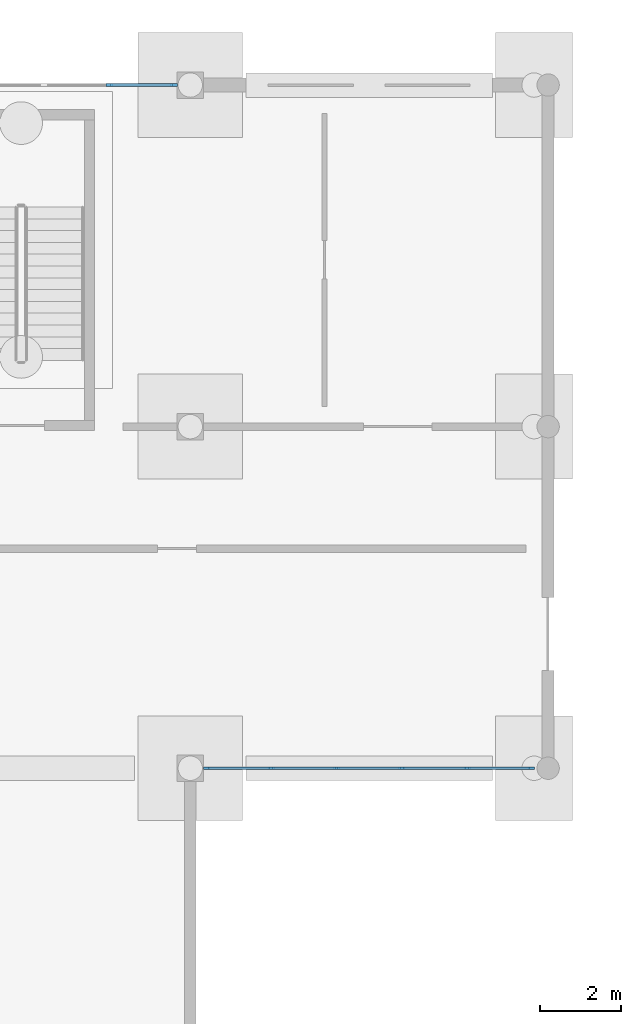
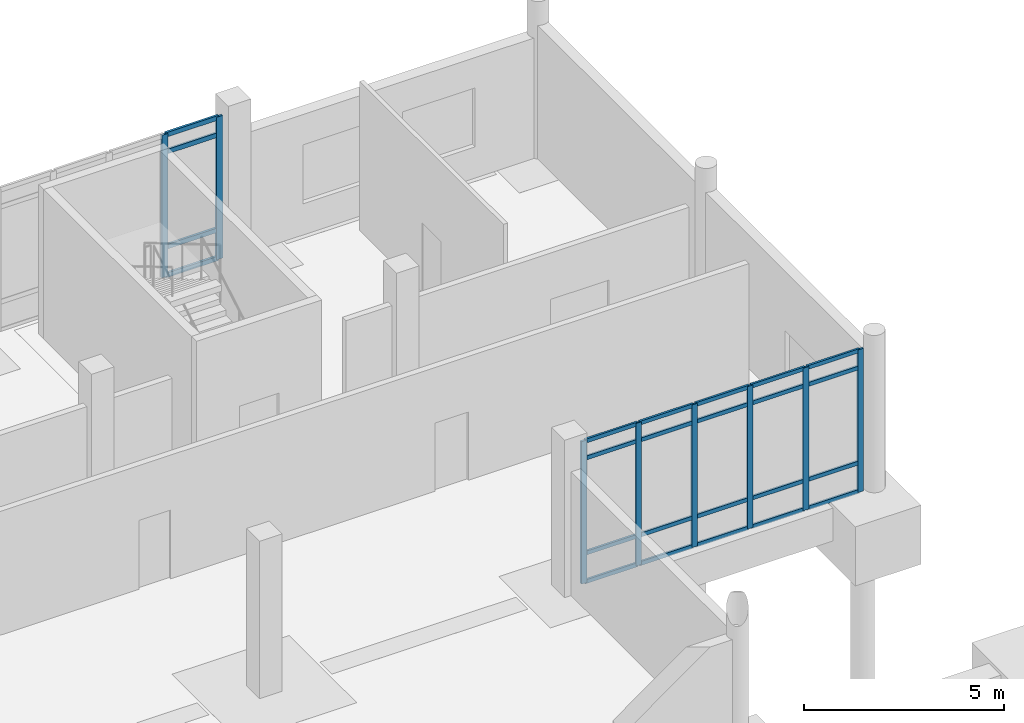
# One storey, part 29 of 72: 32 members, 2 elements without a shape of their own.
"""IFC4 building model written with IfcOpenShell, lengths in metres."""

from ifc_helpers import new_model, si_unit, direction, frame, origin, origin_2d, place, context, subcontext, project, spatial, rectangle, extrude, material, material_profile, profile_set, type_object, element, aggregate, save


model = new_model("IFC4")

# Units and contexts
model_context = context("Model", 3, precision=1e-05, world=origin(), true_north=direction((0.0, 1.0)))
body_context = subcontext(model_context, "Body", "Model", "MODEL_VIEW")
ifc_project = project(units=[si_unit("LENGTHUNIT", "METRE"), si_unit("AREAUNIT", "SQUARE_METRE"), si_unit("VOLUMEUNIT", "CUBIC_METRE"), si_unit("PLANEANGLEUNIT", "RADIAN"), si_unit("MASSUNIT", "GRAM", prefix="KILO")], contexts=[model_context])

# Site, building, storey
site_placement = place(None, origin())
site = spatial("IfcSite", under=ifc_project, at=site_placement, CompositionType="ELEMENT")
building_placement = place(site_placement, origin())
building = spatial("IfcBuilding", under=site, at=building_placement, Name="Cinderway Yard Community Centre", CompositionType="ELEMENT")
storey_placement = place(building_placement, origin())
storey = spatial("IfcBuildingStorey", under=building, at=storey_placement, Name="L00", CompositionType="ELEMENT", Elevation=0.0)

# Curtain wall, members
ifc_material = material(Name="Aluminium 6063-T6", Category="aluminium")
curtain_wall_type = type_object("IfcCurtainWallType", Name="ENV-CW-TYPE-25", PredefinedType="USERDEFINED", material=ifc_material)
curtain_wall_1_placement = place(storey_placement, origin())
curtain_wall_1 = element("IfcCurtainWall", 1, at=curtain_wall_1_placement, inside=storey, type_object=curtain_wall_type, Name="V4 Courtyard Curtain Wall ENV-CW-L00-ST-0121", ObjectType="GLAZED CURTAIN WALL", PredefinedType="USERDEFINED")
ifc_material_profile_1 = material_profile(ifc_material, rectangle(XDim=0.06005859375, YDim=0.159912109375, at=origin_2d()), Name="Aluminium 6063-T6")
ifc_profile_set_1 = profile_set([ifc_material_profile_1], Name="Aluminium 6063-T6")
member_type_1 = type_object("IfcMemberType", Name="ENV-CW-MULL-150", PredefinedType="MULLION", material=ifc_profile_set_1)
member_1_placement = place(storey_placement, frame((137.2099609375, 98.39990234375, 0.0), z_axis=(0.0, 0.0, 1.0), x_axis=(0.0, 1.0, 0.0)))
member_1 = element("IfcMember", 2, at=member_1_placement, type_object=member_type_1, Name="CW-25 mullion 1", PredefinedType="MULLION", context=body_context, shape_type="SweptSolid", body=[
    extrude(rectangle(XDim=0.06005859375, YDim=0.159912109375, at=origin_2d()), origin(), (0.0, 0.0, 1.0), 4.35009765625),
])
member_2_placement = place(storey_placement, frame((138.7880859375, 98.39990234375, 0.0), z_axis=(0.0, 0.0, 1.0), x_axis=(0.0, 1.0, 0.0)))
member_2 = element("IfcMember", 3, at=member_2_placement, type_object=member_type_1, Name="CW-25 mullion 2", PredefinedType="MULLION", context=body_context, shape_type="SweptSolid", body=[
    extrude(rectangle(XDim=0.06005859375, YDim=0.159912109375, at=origin_2d()), origin(), (0.0, 0.0, 1.0), 4.35009765625),
])
member_3_placement = place(storey_placement, frame((140.39599609375, 98.39990234375, 0.0), z_axis=(0.0, 0.0, 1.0), x_axis=(0.0, 1.0, 0.0)))
member_3 = element("IfcMember", 4, at=member_3_placement, type_object=member_type_1, Name="CW-25 mullion 3", PredefinedType="MULLION", context=body_context, shape_type="SweptSolid", body=[
    extrude(rectangle(XDim=0.06005859375, YDim=0.159912109375, at=origin_2d()), origin(), (0.0, 0.0, 1.0), 4.35009765625),
])
member_4_placement = place(storey_placement, frame((142.00390625, 98.39990234375, 0.0), z_axis=(0.0, 0.0, 1.0), x_axis=(0.0, 1.0, 0.0)))
member_4 = element("IfcMember", 5, at=member_4_placement, type_object=member_type_1, Name="CW-25 mullion 4", PredefinedType="MULLION", context=body_context, shape_type="SweptSolid", body=[
    extrude(rectangle(XDim=0.06005859375, YDim=0.159912109375, at=origin_2d()), origin(), (0.0, 0.0, 1.0), 4.35009765625),
])
member_5_placement = place(storey_placement, frame((143.612060546875, 98.39990234375, 0.0), z_axis=(0.0, 0.0, 1.0), x_axis=(0.0, 1.0, 0.0)))
member_5 = element("IfcMember", 6, at=member_5_placement, type_object=member_type_1, Name="CW-25 mullion 5", PredefinedType="MULLION", context=body_context, shape_type="SweptSolid", body=[
    extrude(rectangle(XDim=0.06005859375, YDim=0.159912109375, at=origin_2d()), origin(), (0.0, 0.0, 1.0), 4.35009765625),
])
member_6_placement = place(storey_placement, frame((145.18994140625, 98.39990234375, 0.0), z_axis=(0.0, 0.0, 1.0), x_axis=(0.0, 1.0, 0.0)))
member_6 = element("IfcMember", 7, at=member_6_placement, type_object=member_type_1, Name="CW-25 mullion 6", PredefinedType="MULLION", context=body_context, shape_type="SweptSolid", body=[
    extrude(rectangle(XDim=0.06005859375, YDim=0.159912109375, at=origin_2d()), origin(), (0.0, 0.0, 1.0), 4.35009765625),
])

curtain_wall_2_placement = place(storey_placement, origin())
curtain_wall_2 = element("IfcCurtainWall", 8, at=curtain_wall_2_placement, inside=storey, type_object=curtain_wall_type, Name="V4 Street Curtain Wall ENV-CW-L00-HS-0120", ObjectType="GLAZED CURTAIN WALL", PredefinedType="USERDEFINED")
ifc_material_profile_2 = material_profile(ifc_material, rectangle(XDim=0.06494140625, YDim=0.179931640625, at=origin_2d()), Name="Aluminium 6063-T6")
ifc_profile_set_2 = profile_set([ifc_material_profile_2], Name="Aluminium 6063-T6")
member_type_2 = type_object("IfcMemberType", Name="ENV-CW-MULL-180", PredefinedType="MULLION", material=ifc_profile_set_2)
member_7_placement = place(storey_placement, frame((134.81201171875, 115.199951171875, 0.0), z_axis=(0.0, 0.0, 1.0), x_axis=(0.0, 1.0, 0.0)))
member_7 = element("IfcMember", 9, at=member_7_placement, type_object=member_type_2, Name="CW-25 mullion 5", PredefinedType="MULLION", context=body_context, shape_type="SweptSolid", body=[
    extrude(rectangle(XDim=0.06494140625, YDim=0.179931640625, at=origin_2d()), origin(), (0.0, 0.0, 1.0), 4.35009765625),
])
member_8_placement = place(storey_placement, frame((136.389892578125, 115.199951171875, 0.0), z_axis=(0.0, 0.0, 1.0), x_axis=(0.0, 1.0, 0.0)))
member_8 = element("IfcMember", 10, at=member_8_placement, type_object=member_type_2, Name="CW-25 mullion 6", PredefinedType="MULLION", context=body_context, shape_type="SweptSolid", body=[
    extrude(rectangle(XDim=0.06494140625, YDim=0.179931640625, at=origin_2d()), origin(), (0.0, 0.0, 1.0), 4.35009765625),
])

# Member
ifc_material_profile_3 = material_profile(ifc_material, rectangle(XDim=0.06005859375, YDim=0.1201171875, at=origin_2d()), Name="Aluminium 6063-T6")
ifc_profile_set_3 = profile_set([ifc_material_profile_3], Name="Aluminium 6063-T6")
member_type_3 = type_object("IfcMemberType", Name="ENV-CW-TRAN-110", PredefinedType="USERDEFINED", material=ifc_profile_set_3)
member_9_placement = place(storey_placement, frame((137.239990234375, 98.39990234375, 0.030029296875), z_axis=(1.0, 0.0, 0.0), x_axis=(0.0, 1.0, 0.0)))
member_9 = element("IfcMember", 11, at=member_9_placement, type_object=member_type_3, Name="CW-25 transom 1.1", ObjectType="TRANSOM", PredefinedType="USERDEFINED", context=body_context, shape_type="SweptSolid", body=[
    extrude(rectangle(XDim=0.06005859375, YDim=0.1201171875, at=origin_2d()), origin(), (0.0, 0.0, 1.0), 1.51806640625),
])

member_10_placement = place(storey_placement, frame((137.239990234375, 98.39990234375, 0.89990234375), z_axis=(1.0, 0.0, 0.0), x_axis=(0.0, 1.0, 0.0)))
member_10 = element("IfcMember", 12, at=member_10_placement, type_object=member_type_3, Name="CW-25 transom 1.2", ObjectType="TRANSOM", PredefinedType="USERDEFINED", context=body_context, shape_type="SweptSolid", body=[
    extrude(rectangle(XDim=0.06005859375, YDim=0.1201171875, at=origin_2d()), origin(), (0.0, 0.0, 1.0), 1.51806640625),
])

member_11_placement = place(storey_placement, frame((137.239990234375, 98.39990234375, 3.800048828125), z_axis=(1.0, 0.0, 0.0), x_axis=(0.0, 1.0, 0.0)))
member_11 = element("IfcMember", 13, at=member_11_placement, type_object=member_type_3, Name="CW-25 transom 1.3", ObjectType="TRANSOM", PredefinedType="USERDEFINED", context=body_context, shape_type="SweptSolid", body=[
    extrude(rectangle(XDim=0.06005859375, YDim=0.1201171875, at=origin_2d()), origin(), (0.0, 0.0, 1.0), 1.51806640625),
])

member_12_placement = place(storey_placement, frame((137.239990234375, 98.39990234375, 4.320068359375), z_axis=(1.0, 0.0, 0.0), x_axis=(0.0, 1.0, 0.0)))
member_12 = element("IfcMember", 14, at=member_12_placement, type_object=member_type_3, Name="CW-25 transom 1.4", ObjectType="TRANSOM", PredefinedType="USERDEFINED", context=body_context, shape_type="SweptSolid", body=[
    extrude(rectangle(XDim=0.06005859375, YDim=0.1201171875, at=origin_2d()), origin(), (0.0, 0.0, 1.0), 1.51806640625),
])

member_13_placement = place(storey_placement, frame((138.818115234375, 98.39990234375, 0.030029296875), z_axis=(1.0, 0.0, 0.0), x_axis=(0.0, 1.0, 0.0)))
member_13 = element("IfcMember", 15, at=member_13_placement, type_object=member_type_3, Name="CW-25 transom 2.1", ObjectType="TRANSOM", PredefinedType="USERDEFINED", context=body_context, shape_type="SweptSolid", body=[
    extrude(rectangle(XDim=0.06005859375, YDim=0.1201171875, at=origin_2d()), origin(), (0.0, 0.0, 1.0), 1.5478515625),
])

member_14_placement = place(storey_placement, frame((138.818115234375, 98.39990234375, 0.89990234375), z_axis=(1.0, 0.0, 0.0), x_axis=(0.0, 1.0, 0.0)))
member_14 = element("IfcMember", 16, at=member_14_placement, type_object=member_type_3, Name="CW-25 transom 2.2", ObjectType="TRANSOM", PredefinedType="USERDEFINED", context=body_context, shape_type="SweptSolid", body=[
    extrude(rectangle(XDim=0.06005859375, YDim=0.1201171875, at=origin_2d()), origin(), (0.0, 0.0, 1.0), 1.5478515625),
])

member_15_placement = place(storey_placement, frame((138.818115234375, 98.39990234375, 3.800048828125), z_axis=(1.0, 0.0, 0.0), x_axis=(0.0, 1.0, 0.0)))
member_15 = element("IfcMember", 17, at=member_15_placement, type_object=member_type_3, Name="CW-25 transom 2.3", ObjectType="TRANSOM", PredefinedType="USERDEFINED", context=body_context, shape_type="SweptSolid", body=[
    extrude(rectangle(XDim=0.06005859375, YDim=0.1201171875, at=origin_2d()), origin(), (0.0, 0.0, 1.0), 1.5478515625),
])

member_16_placement = place(storey_placement, frame((138.818115234375, 98.39990234375, 4.320068359375), z_axis=(1.0, 0.0, 0.0), x_axis=(0.0, 1.0, 0.0)))
member_16 = element("IfcMember", 18, at=member_16_placement, type_object=member_type_3, Name="CW-25 transom 2.4", ObjectType="TRANSOM", PredefinedType="USERDEFINED", context=body_context, shape_type="SweptSolid", body=[
    extrude(rectangle(XDim=0.06005859375, YDim=0.1201171875, at=origin_2d()), origin(), (0.0, 0.0, 1.0), 1.5478515625),
])

member_17_placement = place(storey_placement, frame((140.426025390625, 98.39990234375, 0.030029296875), z_axis=(1.0, 0.0, 0.0), x_axis=(0.0, 1.0, 0.0)))
member_17 = element("IfcMember", 19, at=member_17_placement, type_object=member_type_3, Name="CW-25 transom 3.1", ObjectType="TRANSOM", PredefinedType="USERDEFINED", context=body_context, shape_type="SweptSolid", body=[
    extrude(rectangle(XDim=0.06005859375, YDim=0.1201171875, at=origin_2d()), origin(), (0.0, 0.0, 1.0), 1.548095703125),
])

member_18_placement = place(storey_placement, frame((140.426025390625, 98.39990234375, 0.89990234375), z_axis=(1.0, 0.0, 0.0), x_axis=(0.0, 1.0, 0.0)))
member_18 = element("IfcMember", 20, at=member_18_placement, type_object=member_type_3, Name="CW-25 transom 3.2", ObjectType="TRANSOM", PredefinedType="USERDEFINED", context=body_context, shape_type="SweptSolid", body=[
    extrude(rectangle(XDim=0.06005859375, YDim=0.1201171875, at=origin_2d()), origin(), (0.0, 0.0, 1.0), 1.548095703125),
])

member_19_placement = place(storey_placement, frame((140.426025390625, 98.39990234375, 3.800048828125), z_axis=(1.0, 0.0, 0.0), x_axis=(0.0, 1.0, 0.0)))
member_19 = element("IfcMember", 21, at=member_19_placement, type_object=member_type_3, Name="CW-25 transom 3.3", ObjectType="TRANSOM", PredefinedType="USERDEFINED", context=body_context, shape_type="SweptSolid", body=[
    extrude(rectangle(XDim=0.06005859375, YDim=0.1201171875, at=origin_2d()), origin(), (0.0, 0.0, 1.0), 1.548095703125),
])

member_20_placement = place(storey_placement, frame((140.426025390625, 98.39990234375, 4.320068359375), z_axis=(1.0, 0.0, 0.0), x_axis=(0.0, 1.0, 0.0)))
member_20 = element("IfcMember", 22, at=member_20_placement, type_object=member_type_3, Name="CW-25 transom 3.4", ObjectType="TRANSOM", PredefinedType="USERDEFINED", context=body_context, shape_type="SweptSolid", body=[
    extrude(rectangle(XDim=0.06005859375, YDim=0.1201171875, at=origin_2d()), origin(), (0.0, 0.0, 1.0), 1.548095703125),
])

member_21_placement = place(storey_placement, frame((142.033935546875, 98.39990234375, 0.030029296875), z_axis=(1.0, 0.0, 0.0), x_axis=(0.0, 1.0, 0.0)))
member_21 = element("IfcMember", 23, at=member_21_placement, type_object=member_type_3, Name="CW-25 transom 4.1", ObjectType="TRANSOM", PredefinedType="USERDEFINED", context=body_context, shape_type="SweptSolid", body=[
    extrude(rectangle(XDim=0.06005859375, YDim=0.1201171875, at=origin_2d()), origin(), (0.0, 0.0, 1.0), 1.548095703125),
])

member_22_placement = place(storey_placement, frame((142.033935546875, 98.39990234375, 0.89990234375), z_axis=(1.0, 0.0, 0.0), x_axis=(0.0, 1.0, 0.0)))
member_22 = element("IfcMember", 24, at=member_22_placement, type_object=member_type_3, Name="CW-25 transom 4.2", ObjectType="TRANSOM", PredefinedType="USERDEFINED", context=body_context, shape_type="SweptSolid", body=[
    extrude(rectangle(XDim=0.06005859375, YDim=0.1201171875, at=origin_2d()), origin(), (0.0, 0.0, 1.0), 1.548095703125),
])

member_23_placement = place(storey_placement, frame((142.033935546875, 98.39990234375, 3.800048828125), z_axis=(1.0, 0.0, 0.0), x_axis=(0.0, 1.0, 0.0)))
member_23 = element("IfcMember", 25, at=member_23_placement, type_object=member_type_3, Name="CW-25 transom 4.3", ObjectType="TRANSOM", PredefinedType="USERDEFINED", context=body_context, shape_type="SweptSolid", body=[
    extrude(rectangle(XDim=0.06005859375, YDim=0.1201171875, at=origin_2d()), origin(), (0.0, 0.0, 1.0), 1.548095703125),
])

member_24_placement = place(storey_placement, frame((142.033935546875, 98.39990234375, 4.320068359375), z_axis=(1.0, 0.0, 0.0), x_axis=(0.0, 1.0, 0.0)))
member_24 = element("IfcMember", 26, at=member_24_placement, type_object=member_type_3, Name="CW-25 transom 4.4", ObjectType="TRANSOM", PredefinedType="USERDEFINED", context=body_context, shape_type="SweptSolid", body=[
    extrude(rectangle(XDim=0.06005859375, YDim=0.1201171875, at=origin_2d()), origin(), (0.0, 0.0, 1.0), 1.548095703125),
])

member_25_placement = place(storey_placement, frame((143.64208984375, 98.39990234375, 0.030029296875), z_axis=(1.0, 0.0, 0.0), x_axis=(0.0, 1.0, 0.0)))
member_25 = element("IfcMember", 27, at=member_25_placement, type_object=member_type_3, Name="CW-25 transom 5.1", ObjectType="TRANSOM", PredefinedType="USERDEFINED", context=body_context, shape_type="SweptSolid", body=[
    extrude(rectangle(XDim=0.06005859375, YDim=0.1201171875, at=origin_2d()), origin(), (0.0, 0.0, 1.0), 1.517822265625),
])

member_26_placement = place(storey_placement, frame((143.64208984375, 98.39990234375, 0.89990234375), z_axis=(1.0, 0.0, 0.0), x_axis=(0.0, 1.0, 0.0)))
member_26 = element("IfcMember", 28, at=member_26_placement, type_object=member_type_3, Name="CW-25 transom 5.2", ObjectType="TRANSOM", PredefinedType="USERDEFINED", context=body_context, shape_type="SweptSolid", body=[
    extrude(rectangle(XDim=0.06005859375, YDim=0.1201171875, at=origin_2d()), origin(), (0.0, 0.0, 1.0), 1.517822265625),
])

member_27_placement = place(storey_placement, frame((143.64208984375, 98.39990234375, 3.800048828125), z_axis=(1.0, 0.0, 0.0), x_axis=(0.0, 1.0, 0.0)))
member_27 = element("IfcMember", 29, at=member_27_placement, type_object=member_type_3, Name="CW-25 transom 5.3", ObjectType="TRANSOM", PredefinedType="USERDEFINED", context=body_context, shape_type="SweptSolid", body=[
    extrude(rectangle(XDim=0.06005859375, YDim=0.1201171875, at=origin_2d()), origin(), (0.0, 0.0, 1.0), 1.517822265625),
])

member_28_placement = place(storey_placement, frame((143.64208984375, 98.39990234375, 4.320068359375), z_axis=(1.0, 0.0, 0.0), x_axis=(0.0, 1.0, 0.0)))
member_28 = element("IfcMember", 30, at=member_28_placement, type_object=member_type_3, Name="CW-25 transom 5.4", ObjectType="TRANSOM", PredefinedType="USERDEFINED", context=body_context, shape_type="SweptSolid", body=[
    extrude(rectangle(XDim=0.06005859375, YDim=0.1201171875, at=origin_2d()), origin(), (0.0, 0.0, 1.0), 1.517822265625),
])

aggregate(curtain_wall_1, [member_1, member_2, member_3, member_4, member_5, member_6, member_9, member_10, member_11, member_12, member_13, member_14, member_15, member_16, member_17, member_18, member_19, member_20, member_21, member_22, member_23, member_24, member_25, member_26, member_27, member_28])

ifc_material_profile_4 = material_profile(ifc_material, rectangle(XDim=0.06494140625, YDim=0.139892578125, at=origin_2d()), Name="Aluminium 6063-T6")
ifc_profile_set_4 = profile_set([ifc_material_profile_4], Name="Aluminium 6063-T6")
member_type_4 = type_object("IfcMemberType", Name="ENV-CW-TRAN-140", PredefinedType="USERDEFINED", material=ifc_profile_set_4)
member_29_placement = place(storey_placement, frame((134.842041015625, 115.199951171875, 0.030029296875), z_axis=(1.0, 0.0, 0.0), x_axis=(0.0, 1.0, 0.0)))
member_29 = element("IfcMember", 31, at=member_29_placement, type_object=member_type_4, Name="CW-25 transom 5.1", ObjectType="TRANSOM", PredefinedType="USERDEFINED", context=body_context, shape_type="SweptSolid", body=[
    extrude(rectangle(XDim=0.06494140625, YDim=0.139892578125, at=origin_2d()), origin(), (0.0, 0.0, 1.0), 1.51806640625),
])

member_30_placement = place(storey_placement, frame((134.842041015625, 115.199951171875, 0.89990234375), z_axis=(1.0, 0.0, 0.0), x_axis=(0.0, 1.0, 0.0)))
member_30 = element("IfcMember", 32, at=member_30_placement, type_object=member_type_4, Name="CW-25 transom 5.2", ObjectType="TRANSOM", PredefinedType="USERDEFINED", context=body_context, shape_type="SweptSolid", body=[
    extrude(rectangle(XDim=0.06494140625, YDim=0.139892578125, at=origin_2d()), origin(), (0.0, 0.0, 1.0), 1.51806640625),
])

member_31_placement = place(storey_placement, frame((134.842041015625, 115.199951171875, 3.800048828125), z_axis=(1.0, 0.0, 0.0), x_axis=(0.0, 1.0, 0.0)))
member_31 = element("IfcMember", 33, at=member_31_placement, type_object=member_type_4, Name="CW-25 transom 5.3", ObjectType="TRANSOM", PredefinedType="USERDEFINED", context=body_context, shape_type="SweptSolid", body=[
    extrude(rectangle(XDim=0.06494140625, YDim=0.139892578125, at=origin_2d()), origin(), (0.0, 0.0, 1.0), 1.51806640625),
])

member_32_placement = place(storey_placement, frame((134.842041015625, 115.199951171875, 4.320068359375), z_axis=(1.0, 0.0, 0.0), x_axis=(0.0, 1.0, 0.0)))
member_32 = element("IfcMember", 34, at=member_32_placement, type_object=member_type_4, Name="CW-25 transom 5.4", ObjectType="TRANSOM", PredefinedType="USERDEFINED", context=body_context, shape_type="SweptSolid", body=[
    extrude(rectangle(XDim=0.06494140625, YDim=0.139892578125, at=origin_2d()), origin(), (0.0, 0.0, 1.0), 1.51806640625),
])

aggregate(curtain_wall_2, [member_7, member_8, member_29, member_30, member_31, member_32])

save(model, "model.ifc")
